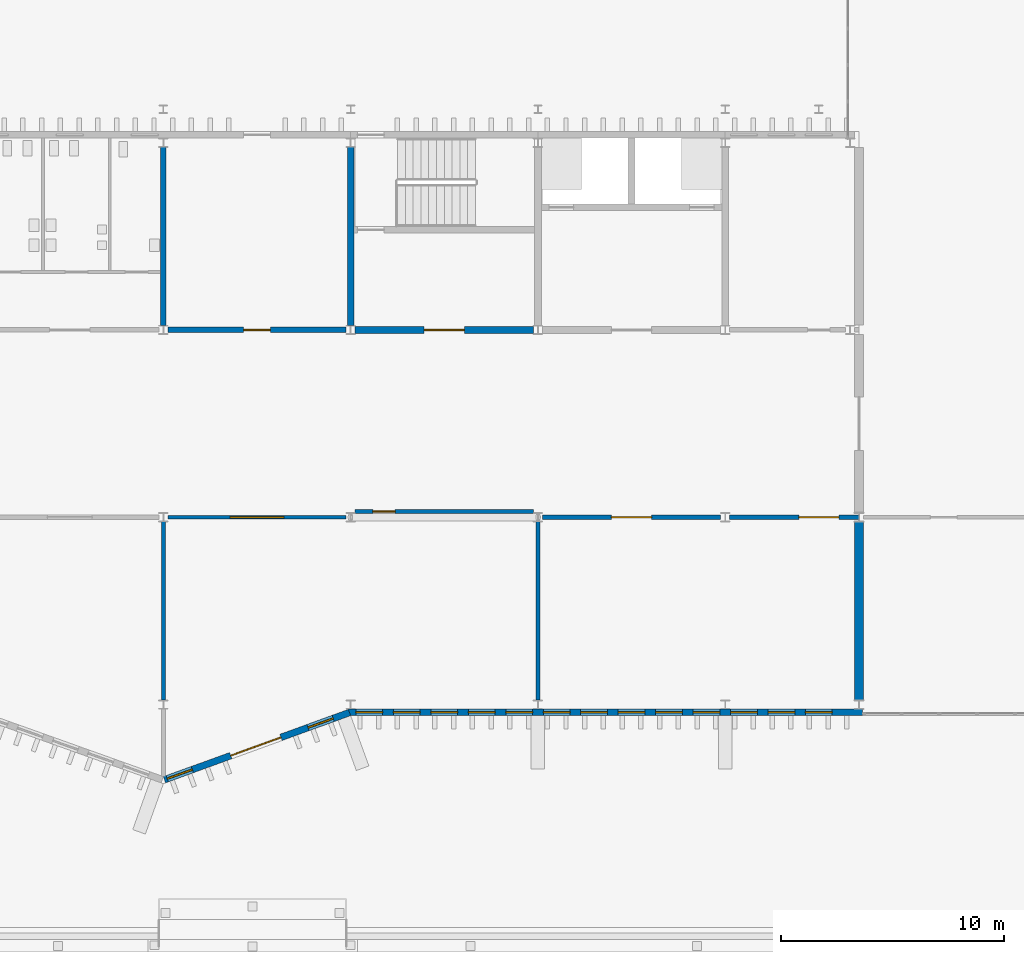
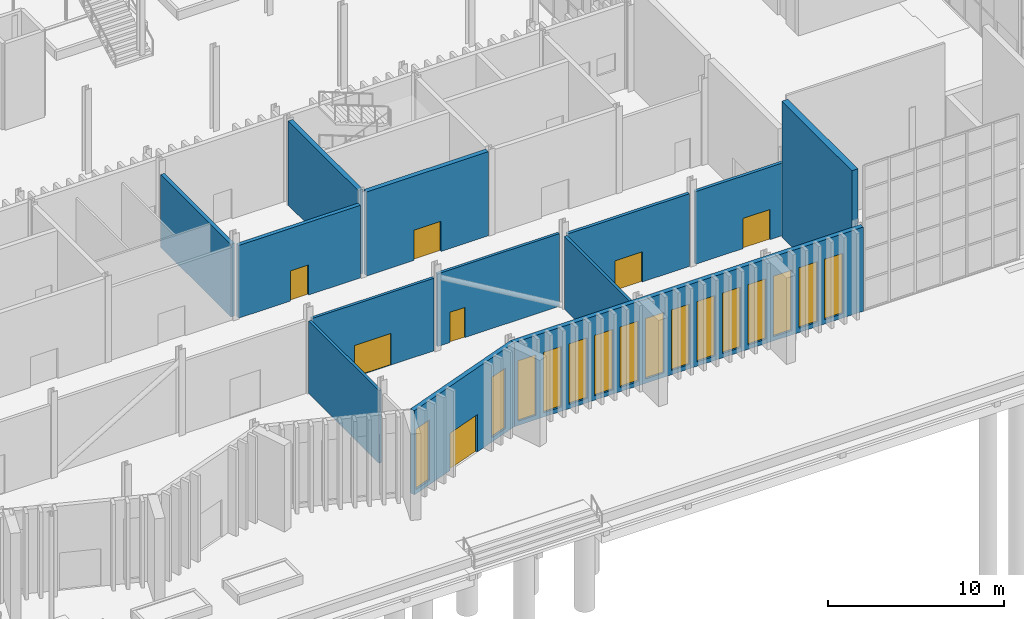
# One storey, part 69 of 108: 15 windows, 13 walls, 7 doors, 22 openings.
"""IFC4 building model written with IfcOpenShell, lengths in metres."""

from ifc_helpers import new_model, si_unit, direction, frame, frame_2d, origin, place, context, subcontext, project, spatial, rectangle, extrude, material, layer, layer_set, type_object, element, fill, save


model = new_model("IFC4")

# Units and contexts
model_context = context("Model", 3, precision=1e-05, world=origin(), true_north=direction((0.0, 1.0)))
body_context = subcontext(model_context, "Body", "Model", "MODEL_VIEW")
ifc_project = project(units=[si_unit("LENGTHUNIT", "METRE"), si_unit("AREAUNIT", "SQUARE_METRE"), si_unit("VOLUMEUNIT", "CUBIC_METRE"), si_unit("PLANEANGLEUNIT", "RADIAN"), si_unit("MASSUNIT", "GRAM", prefix="KILO")], contexts=[model_context])

# Site, building, storey
site_placement = place(None, origin())
site = spatial("IfcSite", under=ifc_project, at=site_placement, CompositionType="ELEMENT")
building_placement = place(site_placement, origin())
building = spatial("IfcBuilding", under=site, at=building_placement, Name="Cresset Court Congress Hotel", CompositionType="ELEMENT")
storey_placement = place(building_placement, origin())
storey = spatial("IfcBuildingStorey", under=building, at=storey_placement, Name="L00", CompositionType="ELEMENT", Elevation=0.0)

# Wall
ifc_material_1 = material(Name="Concrete C50", Category="concrete")
ifc_layer_1 = layer(ifc_material_1, 0.300048828125)
ifc_layer_set_1 = layer_set([ifc_layer_1], Name="Core wall 300 Concrete C50")
wall_type_1 = type_object("IfcWallType", Name="Core wall 300 Concrete C50", PredefinedType="SHEAR", material=ifc_layer_set_1)
wall_1_placement = place(storey_placement, frame((134.39990234375, 17.0, 0.0), z_axis=(0.0, 0.0, 1.0), x_axis=(0.0, 1.0, 0.0)))
element("IfcWall", 1, at=wall_1_placement, inside=storey, type_object=wall_type_1, Name="Core wall ST-B5", PredefinedType="SHEAR", context=body_context, shape_type="SweptSolid", body=[
    extrude(rectangle(XDim=8.0, YDim=0.300048828125, at=frame_2d((4.0, 0.0))), origin(), (0.0, 0.0, 1.0), 5.85009765625),
])

# Wall, opening, door
wall_2_placement = place(storey_placement, frame((134.60009765625, 16.800048828125, 0.0), z_axis=(0.0, 0.0, 1.0), x_axis=(1.0, 0.0, 0.0)))
wall_2 = element("IfcWall", 2, at=wall_2_placement, inside=storey, type_object=wall_type_1, Name="Core wall ST-B5", PredefinedType="SHEAR", context=body_context, shape_type="SweptSolid", body=[
    extrude(rectangle(XDim=8.0, YDim=0.300048828125, at=frame_2d((4.0, 0.0))), origin(), (0.0, 0.0, 1.0), 5.85009765625),
])
opening_1_placement = place(wall_2_placement, frame((3.10009765625, 0.0, 0.0)))
opening_1 = element("IfcOpeningElement", 3, at=opening_1_placement, cuts=wall_2, Name="Opening DB-00-64", PredefinedType="OPENING", context=body_context, shape_type="SweptSolid", body=[
    extrude(rectangle(XDim=1.800048828125, YDim=2.10009765625, at=frame_2d((0.89990234375, 1.050048828125))), frame((0.0, 0.159912109375, 0.0), z_axis=(0.0, -1.0, 0.0), x_axis=(1.0, 0.0, 0.0)), (0.0, 0.0, 1.0), 0.320068359375),
])
ifc_material_2 = material(Name="Timber and steel frame", Category="steel")
door_type_1 = type_object("IfcDoorType", Name="Lobby fire door FD60 double 1800x2100", OperationType="DOUBLE_DOOR_SINGLE_SWING", PredefinedType="DOOR", material=ifc_material_2)
door_1_placement = place(opening_1_placement, origin())
door_1 = element("IfcDoor", 4, at=door_1_placement, inside=storey, type_object=door_type_1, Name="Stair lobby door ST-B5", OperationType="DOUBLE_DOOR_SINGLE_SWING", OverallHeight=2.10009765625, OverallWidth=1.800048828125, PredefinedType="DOOR", context=body_context, shape_type="SweptSolid", body=[
    extrude(rectangle(XDim=1.800048828125, YDim=2.10009765625, at=frame_2d((0.89990234375, 1.050048828125))), frame((0.0, 0.02490234375, 0.0), z_axis=(0.0, -1.0, 0.0), x_axis=(1.0, 0.0, 0.0)), (0.0, 0.0, 1.0), 0.050048828125),
])
fill(opening_1, door_1)

# Wall, openings, windows
ifc_material_3 = material(Name="Concrete C40", Category="concrete")
ifc_layer_2 = layer(ifc_material_3, 0.300048828125)
ifc_layer_set_2 = layer_set([ifc_layer_2], Name="External wall 300 Concrete C40")
wall_type_2 = type_object("IfcWallType", Name="External wall 300 Concrete C40", PredefinedType="SOLIDWALL", material=ifc_layer_set_2)
wall_3_placement = place(storey_placement, frame((134.300048828125, -0.35009765625, 0.0), z_axis=(0.0, 0.0, 1.0), x_axis=(1.0, 0.0, 0.0)))
wall_3 = element("IfcWall", 5, at=wall_3_placement, inside=storey, type_object=wall_type_2, Name="External wall", PredefinedType="SOLIDWALL", context=body_context, shape_type="SweptSolid", body=[
    extrude(rectangle(XDim=23.050048828125, YDim=0.300048828125, at=frame_2d((11.52490234375, 0.0))), origin(), (0.0, 0.0, 1.0), 5.85009765625),
])
opening_2_placement = place(wall_3_placement, frame((0.340087890625, 0.0, 0.300048828125)))
opening_2 = element("IfcOpeningElement", 6, at=opening_2_placement, cuts=wall_3, Name="Opening NB-00-17", PredefinedType="OPENING", context=body_context, shape_type="SweptSolid", body=[
    extrude(rectangle(XDim=1.199951171875, YDim=4.199951171875, at=frame_2d((0.60009765625, 2.10009765625))), frame((0.0, 0.159912109375, 0.0), z_axis=(0.0, -1.0, 0.0), x_axis=(1.0, 0.0, 0.0)), (0.0, 0.0, 1.0), 0.320068359375),
])
opening_3_placement = place(wall_3_placement, frame((2.02001953125, 0.0, 0.300048828125)))
opening_3 = element("IfcOpeningElement", 7, at=opening_3_placement, cuts=wall_3, Name="Opening NB-00-18", PredefinedType="OPENING", context=body_context, shape_type="SweptSolid", body=[
    extrude(rectangle(XDim=1.199951171875, YDim=4.199951171875, at=frame_2d((0.60009765625, 2.10009765625))), frame((0.0, 0.159912109375, 0.0), z_axis=(0.0, -1.0, 0.0), x_axis=(1.0, 0.0, 0.0)), (0.0, 0.0, 1.0), 0.320068359375),
])
opening_4_placement = place(wall_3_placement, frame((3.699951171875, 0.0, 0.300048828125)))
opening_4 = element("IfcOpeningElement", 8, at=opening_4_placement, cuts=wall_3, Name="Opening NB-00-19", PredefinedType="OPENING", context=body_context, shape_type="SweptSolid", body=[
    extrude(rectangle(XDim=1.199951171875, YDim=4.199951171875, at=frame_2d((0.60009765625, 2.10009765625))), frame((0.0, 0.159912109375, 0.0), z_axis=(0.0, -1.0, 0.0), x_axis=(1.0, 0.0, 0.0)), (0.0, 0.0, 1.0), 0.320068359375),
])
opening_5_placement = place(wall_3_placement, frame((5.3798828125, 0.0, 0.300048828125)))
opening_5 = element("IfcOpeningElement", 9, at=opening_5_placement, cuts=wall_3, Name="Opening NB-00-20", PredefinedType="OPENING", context=body_context, shape_type="SweptSolid", body=[
    extrude(rectangle(XDim=1.199951171875, YDim=4.199951171875, at=frame_2d((0.60009765625, 2.10009765625))), frame((0.0, 0.159912109375, 0.0), z_axis=(0.0, -1.0, 0.0), x_axis=(1.0, 0.0, 0.0)), (0.0, 0.0, 1.0), 0.320068359375),
])
opening_6_placement = place(wall_3_placement, frame((7.06005859375, 0.0, 0.300048828125)))
opening_6 = element("IfcOpeningElement", 10, at=opening_6_placement, cuts=wall_3, Name="Opening NB-00-21", PredefinedType="OPENING", context=body_context, shape_type="SweptSolid", body=[
    extrude(rectangle(XDim=1.199951171875, YDim=4.199951171875, at=frame_2d((0.60009765625, 2.10009765625))), frame((0.0, 0.159912109375, 0.0), z_axis=(0.0, -1.0, 0.0), x_axis=(1.0, 0.0, 0.0)), (0.0, 0.0, 1.0), 0.320068359375),
])
opening_7_placement = place(wall_3_placement, frame((8.739990234375, 0.0, 0.300048828125)))
opening_7 = element("IfcOpeningElement", 11, at=opening_7_placement, cuts=wall_3, Name="Opening NB-00-22", PredefinedType="OPENING", context=body_context, shape_type="SweptSolid", body=[
    extrude(rectangle(XDim=1.199951171875, YDim=4.199951171875, at=frame_2d((0.60009765625, 2.10009765625))), frame((0.0, 0.159912109375, 0.0), z_axis=(0.0, -1.0, 0.0), x_axis=(1.0, 0.0, 0.0)), (0.0, 0.0, 1.0), 0.320068359375),
])
opening_8_placement = place(wall_3_placement, frame((10.419921875, 0.0, 0.300048828125)))
opening_8 = element("IfcOpeningElement", 12, at=opening_8_placement, cuts=wall_3, Name="Opening NB-00-23", PredefinedType="OPENING", context=body_context, shape_type="SweptSolid", body=[
    extrude(rectangle(XDim=1.199951171875, YDim=4.199951171875, at=frame_2d((0.60009765625, 2.10009765625))), frame((0.0, 0.159912109375, 0.0), z_axis=(0.0, -1.0, 0.0), x_axis=(1.0, 0.0, 0.0)), (0.0, 0.0, 1.0), 0.320068359375),
])
opening_9_placement = place(wall_3_placement, frame((12.10009765625, 0.0, 0.300048828125)))
opening_9 = element("IfcOpeningElement", 13, at=opening_9_placement, cuts=wall_3, Name="Opening NB-00-24", PredefinedType="OPENING", context=body_context, shape_type="SweptSolid", body=[
    extrude(rectangle(XDim=1.199951171875, YDim=4.199951171875, at=frame_2d((0.60009765625, 2.10009765625))), frame((0.0, 0.159912109375, 0.0), z_axis=(0.0, -1.0, 0.0), x_axis=(1.0, 0.0, 0.0)), (0.0, 0.0, 1.0), 0.320068359375),
])
opening_10_placement = place(wall_3_placement, frame((13.780029296875, 0.0, 0.300048828125)))
opening_10 = element("IfcOpeningElement", 14, at=opening_10_placement, cuts=wall_3, Name="Opening NB-00-25", PredefinedType="OPENING", context=body_context, shape_type="SweptSolid", body=[
    extrude(rectangle(XDim=1.199951171875, YDim=4.199951171875, at=frame_2d((0.60009765625, 2.10009765625))), frame((0.0, 0.159912109375, 0.0), z_axis=(0.0, -1.0, 0.0), x_axis=(1.0, 0.0, 0.0)), (0.0, 0.0, 1.0), 0.320068359375),
])
opening_11_placement = place(wall_3_placement, frame((15.4599609375, 0.0, 0.300048828125)))
opening_11 = element("IfcOpeningElement", 15, at=opening_11_placement, cuts=wall_3, Name="Opening NB-00-26", PredefinedType="OPENING", context=body_context, shape_type="SweptSolid", body=[
    extrude(rectangle(XDim=1.199951171875, YDim=4.199951171875, at=frame_2d((0.60009765625, 2.10009765625))), frame((0.0, 0.159912109375, 0.0), z_axis=(0.0, -1.0, 0.0), x_axis=(1.0, 0.0, 0.0)), (0.0, 0.0, 1.0), 0.320068359375),
])
opening_12_placement = place(wall_3_placement, frame((17.139892578125, 0.0, 0.300048828125)))
opening_12 = element("IfcOpeningElement", 16, at=opening_12_placement, cuts=wall_3, Name="Opening NB-00-27", PredefinedType="OPENING", context=body_context, shape_type="SweptSolid", body=[
    extrude(rectangle(XDim=1.199951171875, YDim=4.199951171875, at=frame_2d((0.60009765625, 2.10009765625))), frame((0.0, 0.159912109375, 0.0), z_axis=(0.0, -1.0, 0.0), x_axis=(1.0, 0.0, 0.0)), (0.0, 0.0, 1.0), 0.320068359375),
])
opening_13_placement = place(wall_3_placement, frame((18.820068359375, 0.0, 0.300048828125)))
opening_13 = element("IfcOpeningElement", 17, at=opening_13_placement, cuts=wall_3, Name="Opening NB-00-28", PredefinedType="OPENING", context=body_context, shape_type="SweptSolid", body=[
    extrude(rectangle(XDim=1.199951171875, YDim=4.199951171875, at=frame_2d((0.60009765625, 2.10009765625))), frame((0.0, 0.159912109375, 0.0), z_axis=(0.0, -1.0, 0.0), x_axis=(1.0, 0.0, 0.0)), (0.0, 0.0, 1.0), 0.320068359375),
])
opening_14_placement = place(wall_3_placement, frame((20.5, 0.0, 0.300048828125)))
opening_14 = element("IfcOpeningElement", 18, at=opening_14_placement, cuts=wall_3, Name="Opening NB-00-29", PredefinedType="OPENING", context=body_context, shape_type="SweptSolid", body=[
    extrude(rectangle(XDim=1.199951171875, YDim=4.199951171875, at=frame_2d((0.60009765625, 2.10009765625))), frame((0.0, 0.159912109375, 0.0), z_axis=(0.0, -1.0, 0.0), x_axis=(1.0, 0.0, 0.0)), (0.0, 0.0, 1.0), 0.320068359375),
])
ifc_material_4 = material(Name="Aluminium frame with double glazing", Category="aluminium")
window_type = type_object("IfcWindowType", Name="Window 1200x4200", PartitioningType="TRIPLE_PANEL_VERTICAL", PredefinedType="WINDOW", material=ifc_material_4)
window_1_placement = place(opening_2_placement, origin())
window_1 = element("IfcWindow", 19, at=window_1_placement, inside=storey, type_object=window_type, Name="Window NB-00-17", OverallHeight=4.199951171875, OverallWidth=1.199951171875, PartitioningType="TRIPLE_PANEL_VERTICAL", PredefinedType="WINDOW", context=body_context, shape_type="SweptSolid", body=[
    extrude(rectangle(XDim=1.199951171875, YDim=4.199951171875, at=frame_2d((0.60009765625, 2.10009765625))), frame((0.0, 0.030029296875, 0.0), z_axis=(0.0, -1.0, 0.0), x_axis=(1.0, 0.0, 0.0)), (0.0, 0.0, 1.0), 0.06005859375),
])
fill(opening_2, window_1)
window_2_placement = place(opening_3_placement, origin())
window_2 = element("IfcWindow", 20, at=window_2_placement, inside=storey, type_object=window_type, Name="Window NB-00-18", OverallHeight=4.199951171875, OverallWidth=1.199951171875, PartitioningType="TRIPLE_PANEL_VERTICAL", PredefinedType="WINDOW", context=body_context, shape_type="SweptSolid", body=[
    extrude(rectangle(XDim=1.199951171875, YDim=4.199951171875, at=frame_2d((0.60009765625, 2.10009765625))), frame((0.0, 0.030029296875, 0.0), z_axis=(0.0, -1.0, 0.0), x_axis=(1.0, 0.0, 0.0)), (0.0, 0.0, 1.0), 0.06005859375),
])
fill(opening_3, window_2)
window_3_placement = place(opening_4_placement, origin())
window_3 = element("IfcWindow", 21, at=window_3_placement, inside=storey, type_object=window_type, Name="Window NB-00-19", OverallHeight=4.199951171875, OverallWidth=1.199951171875, PartitioningType="TRIPLE_PANEL_VERTICAL", PredefinedType="WINDOW", context=body_context, shape_type="SweptSolid", body=[
    extrude(rectangle(XDim=1.199951171875, YDim=4.199951171875, at=frame_2d((0.60009765625, 2.10009765625))), frame((0.0, 0.030029296875, 0.0), z_axis=(0.0, -1.0, 0.0), x_axis=(1.0, 0.0, 0.0)), (0.0, 0.0, 1.0), 0.06005859375),
])
fill(opening_4, window_3)
window_4_placement = place(opening_5_placement, origin())
window_4 = element("IfcWindow", 22, at=window_4_placement, inside=storey, type_object=window_type, Name="Window NB-00-20", OverallHeight=4.199951171875, OverallWidth=1.199951171875, PartitioningType="TRIPLE_PANEL_VERTICAL", PredefinedType="WINDOW", context=body_context, shape_type="SweptSolid", body=[
    extrude(rectangle(XDim=1.199951171875, YDim=4.199951171875, at=frame_2d((0.60009765625, 2.10009765625))), frame((0.0, 0.030029296875, 0.0), z_axis=(0.0, -1.0, 0.0), x_axis=(1.0, 0.0, 0.0)), (0.0, 0.0, 1.0), 0.06005859375),
])
fill(opening_5, window_4)
window_5_placement = place(opening_6_placement, origin())
window_5 = element("IfcWindow", 23, at=window_5_placement, inside=storey, type_object=window_type, Name="Window NB-00-21", OverallHeight=4.199951171875, OverallWidth=1.199951171875, PartitioningType="TRIPLE_PANEL_VERTICAL", PredefinedType="WINDOW", context=body_context, shape_type="SweptSolid", body=[
    extrude(rectangle(XDim=1.199951171875, YDim=4.199951171875, at=frame_2d((0.60009765625, 2.10009765625))), frame((0.0, 0.030029296875, 0.0), z_axis=(0.0, -1.0, 0.0), x_axis=(1.0, 0.0, 0.0)), (0.0, 0.0, 1.0), 0.06005859375),
])
fill(opening_6, window_5)
window_6_placement = place(opening_7_placement, origin())
window_6 = element("IfcWindow", 24, at=window_6_placement, inside=storey, type_object=window_type, Name="Window NB-00-22", OverallHeight=4.199951171875, OverallWidth=1.199951171875, PartitioningType="TRIPLE_PANEL_VERTICAL", PredefinedType="WINDOW", context=body_context, shape_type="SweptSolid", body=[
    extrude(rectangle(XDim=1.199951171875, YDim=4.199951171875, at=frame_2d((0.60009765625, 2.10009765625))), frame((0.0, 0.030029296875, 0.0), z_axis=(0.0, -1.0, 0.0), x_axis=(1.0, 0.0, 0.0)), (0.0, 0.0, 1.0), 0.06005859375),
])
fill(opening_7, window_6)
window_7_placement = place(opening_8_placement, origin())
window_7 = element("IfcWindow", 25, at=window_7_placement, inside=storey, type_object=window_type, Name="Window NB-00-23", OverallHeight=4.199951171875, OverallWidth=1.199951171875, PartitioningType="TRIPLE_PANEL_VERTICAL", PredefinedType="WINDOW", context=body_context, shape_type="SweptSolid", body=[
    extrude(rectangle(XDim=1.199951171875, YDim=4.199951171875, at=frame_2d((0.60009765625, 2.10009765625))), frame((0.0, 0.030029296875, 0.0), z_axis=(0.0, -1.0, 0.0), x_axis=(1.0, 0.0, 0.0)), (0.0, 0.0, 1.0), 0.06005859375),
])
fill(opening_8, window_7)
window_8_placement = place(opening_9_placement, origin())
window_8 = element("IfcWindow", 26, at=window_8_placement, inside=storey, type_object=window_type, Name="Window NB-00-24", OverallHeight=4.199951171875, OverallWidth=1.199951171875, PartitioningType="TRIPLE_PANEL_VERTICAL", PredefinedType="WINDOW", context=body_context, shape_type="SweptSolid", body=[
    extrude(rectangle(XDim=1.199951171875, YDim=4.199951171875, at=frame_2d((0.60009765625, 2.10009765625))), frame((0.0, 0.030029296875, 0.0), z_axis=(0.0, -1.0, 0.0), x_axis=(1.0, 0.0, 0.0)), (0.0, 0.0, 1.0), 0.06005859375),
])
fill(opening_9, window_8)
window_9_placement = place(opening_10_placement, origin())
window_9 = element("IfcWindow", 27, at=window_9_placement, inside=storey, type_object=window_type, Name="Window NB-00-25", OverallHeight=4.199951171875, OverallWidth=1.199951171875, PartitioningType="TRIPLE_PANEL_VERTICAL", PredefinedType="WINDOW", context=body_context, shape_type="SweptSolid", body=[
    extrude(rectangle(XDim=1.199951171875, YDim=4.199951171875, at=frame_2d((0.60009765625, 2.10009765625))), frame((0.0, 0.030029296875, 0.0), z_axis=(0.0, -1.0, 0.0), x_axis=(1.0, 0.0, 0.0)), (0.0, 0.0, 1.0), 0.06005859375),
])
fill(opening_10, window_9)
window_10_placement = place(opening_11_placement, origin())
window_10 = element("IfcWindow", 28, at=window_10_placement, inside=storey, type_object=window_type, Name="Window NB-00-26", OverallHeight=4.199951171875, OverallWidth=1.199951171875, PartitioningType="TRIPLE_PANEL_VERTICAL", PredefinedType="WINDOW", context=body_context, shape_type="SweptSolid", body=[
    extrude(rectangle(XDim=1.199951171875, YDim=4.199951171875, at=frame_2d((0.60009765625, 2.10009765625))), frame((0.0, 0.030029296875, 0.0), z_axis=(0.0, -1.0, 0.0), x_axis=(1.0, 0.0, 0.0)), (0.0, 0.0, 1.0), 0.06005859375),
])
fill(opening_11, window_10)
window_11_placement = place(opening_12_placement, origin())
window_11 = element("IfcWindow", 29, at=window_11_placement, inside=storey, type_object=window_type, Name="Window NB-00-27", OverallHeight=4.199951171875, OverallWidth=1.199951171875, PartitioningType="TRIPLE_PANEL_VERTICAL", PredefinedType="WINDOW", context=body_context, shape_type="SweptSolid", body=[
    extrude(rectangle(XDim=1.199951171875, YDim=4.199951171875, at=frame_2d((0.60009765625, 2.10009765625))), frame((0.0, 0.030029296875, 0.0), z_axis=(0.0, -1.0, 0.0), x_axis=(1.0, 0.0, 0.0)), (0.0, 0.0, 1.0), 0.06005859375),
])
fill(opening_12, window_11)
window_12_placement = place(opening_13_placement, origin())
window_12 = element("IfcWindow", 30, at=window_12_placement, inside=storey, type_object=window_type, Name="Window NB-00-28", OverallHeight=4.199951171875, OverallWidth=1.199951171875, PartitioningType="TRIPLE_PANEL_VERTICAL", PredefinedType="WINDOW", context=body_context, shape_type="SweptSolid", body=[
    extrude(rectangle(XDim=1.199951171875, YDim=4.199951171875, at=frame_2d((0.60009765625, 2.10009765625))), frame((0.0, 0.030029296875, 0.0), z_axis=(0.0, -1.0, 0.0), x_axis=(1.0, 0.0, 0.0)), (0.0, 0.0, 1.0), 0.06005859375),
])
fill(opening_13, window_12)
window_13_placement = place(opening_14_placement, origin())
window_13 = element("IfcWindow", 31, at=window_13_placement, inside=storey, type_object=window_type, Name="Window NB-00-29", OverallHeight=4.199951171875, OverallWidth=1.199951171875, PartitioningType="TRIPLE_PANEL_VERTICAL", PredefinedType="WINDOW", context=body_context, shape_type="SweptSolid", body=[
    extrude(rectangle(XDim=1.199951171875, YDim=4.199951171875, at=frame_2d((0.60009765625, 2.10009765625))), frame((0.0, 0.030029296875, 0.0), z_axis=(0.0, -1.0, 0.0), x_axis=(1.0, 0.0, 0.0)), (0.0, 0.0, 1.0), 0.06005859375),
])
fill(opening_14, window_13)

# Wall, openings, door, windows
wall_4_placement = place(storey_placement, frame((126.05029296875, -3.3720703125, 0.0), z_axis=(0.0, 0.0, 1.0), x_axis=(0.939956409183, 0.3412945192, 0.0)))
wall_4 = element("IfcWall", 32, at=wall_4_placement, inside=storey, type_object=wall_type_2, Name="External wall", PredefinedType="SOLIDWALL", context=body_context, shape_type="SweptSolid", body=[
    extrude(rectangle(XDim=8.82861328125, YDim=0.300048828125, at=frame_2d((4.414306640625, 0.0))), origin(), (0.0, 0.0, 1.0), 5.85009765625),
])
opening_15_placement = place(wall_4_placement, frame((3.160400390625, 0.0, 0.0)))
opening_15 = element("IfcOpeningElement", 33, at=opening_15_placement, cuts=wall_4, Name="Opening DB-00-08", PredefinedType="OPENING", context=body_context, shape_type="SweptSolid", body=[
    extrude(rectangle(XDim=2.39990234375, YDim=2.60009765625, at=frame_2d((1.199951171875, 1.300048828125))), frame((0.0, 0.159912109375, 0.0), z_axis=(0.0, -1.0, 0.0), x_axis=(1.0, 0.0, 0.0)), (0.0, 0.0, 1.0), 0.320068359375),
])
opening_16_placement = place(wall_4_placement, frame((0.132080078125, 0.0, 0.300048828125)))
opening_16 = element("IfcOpeningElement", 34, at=opening_16_placement, cuts=wall_4, Name="Opening NB-00-63", PredefinedType="OPENING", context=body_context, shape_type="SweptSolid", body=[
    extrude(rectangle(XDim=1.199951171875, YDim=4.199951171875, at=frame_2d((0.60009765625, 2.10009765625))), frame((0.0, 0.159912109375, 0.0), z_axis=(0.0, -1.0, 0.0), x_axis=(1.0, 0.0, 0.0)), (0.0, 0.0, 1.0), 0.320068359375),
])
opening_17_placement = place(wall_4_placement, frame((6.85205078125, 0.0, 0.300048828125)))
opening_17 = element("IfcOpeningElement", 35, at=opening_17_placement, cuts=wall_4, Name="Opening NB-00-64", PredefinedType="OPENING", context=body_context, shape_type="SweptSolid", body=[
    extrude(rectangle(XDim=1.199951171875, YDim=4.199951171875, at=frame_2d((0.60009765625, 2.10009765625))), frame((0.0, 0.159912109375, 0.0), z_axis=(0.0, -1.0, 0.0), x_axis=(1.0, 0.0, 0.0)), (0.0, 0.0, 1.0), 0.320068359375),
])
ifc_material_5 = material(Name="Aluminium frame with toughened glass", Category="aluminium")
door_type_2 = type_object("IfcDoorType", Name="Entrance door double glazed 2400x2600", OperationType="DOUBLE_DOOR_SINGLE_SWING", PredefinedType="DOOR", material=ifc_material_5)
door_2_placement = place(opening_15_placement, origin())
door_2 = element("IfcDoor", 36, at=door_2_placement, inside=storey, type_object=door_type_2, Name="Press entrance", OperationType="DOUBLE_DOOR_SINGLE_SWING", OverallHeight=2.60009765625, OverallWidth=2.39990234375, PredefinedType="DOOR", context=body_context, shape_type="SweptSolid", body=[
    extrude(rectangle(XDim=2.39990234375, YDim=2.60009765625, at=frame_2d((1.199951171875, 1.300048828125))), frame((0.0, 0.02490234375, 0.0), z_axis=(0.0, -1.0, 0.0), x_axis=(1.0, 0.0, 0.0)), (0.0, 0.0, 1.0), 0.050048828125),
])
fill(opening_15, door_2)
window_14_placement = place(opening_16_placement, origin())
window_14 = element("IfcWindow", 37, at=window_14_placement, inside=storey, type_object=window_type, Name="Window NB-00-63", OverallHeight=4.199951171875, OverallWidth=1.199951171875, PartitioningType="TRIPLE_PANEL_VERTICAL", PredefinedType="WINDOW", context=body_context, shape_type="SweptSolid", body=[
    extrude(rectangle(XDim=1.199951171875, YDim=4.199951171875, at=frame_2d((0.60009765625, 2.10009765625))), frame((0.0, 0.030029296875, 0.0), z_axis=(0.0, -1.0, 0.0), x_axis=(1.0, 0.0, 0.0)), (0.0, 0.0, 1.0), 0.06005859375),
])
fill(opening_16, window_14)
window_15_placement = place(opening_17_placement, origin())
window_15 = element("IfcWindow", 38, at=window_15_placement, inside=storey, type_object=window_type, Name="Window NB-00-64", OverallHeight=4.199951171875, OverallWidth=1.199951171875, PartitioningType="TRIPLE_PANEL_VERTICAL", PredefinedType="WINDOW", context=body_context, shape_type="SweptSolid", body=[
    extrude(rectangle(XDim=1.199951171875, YDim=4.199951171875, at=frame_2d((0.60009765625, 2.10009765625))), frame((0.0, 0.030029296875, 0.0), z_axis=(0.0, -1.0, 0.0), x_axis=(1.0, 0.0, 0.0)), (0.0, 0.0, 1.0), 0.06005859375),
])
fill(opening_17, window_15)

# Wall, opening, door
ifc_material_6 = material(Name="Gypsum board on steel studs", Category="steel")
ifc_layer_3 = layer(ifc_material_6, 0.199951171875)
ifc_layer_set_3 = layer_set([ifc_layer_3], Name="Foyer wall 200")
wall_type_3 = type_object("IfcWallType", Name="Foyer wall 200", PredefinedType="PARTITIONING", material=ifc_layer_set_3)
wall_5_placement = place(storey_placement, frame((143.0, 8.39990234375, 0.0), z_axis=(0.0, 0.0, 1.0), x_axis=(1.0, 0.0, 0.0)))
wall_5 = element("IfcWall", 39, at=wall_5_placement, inside=storey, type_object=wall_type_3, Name="Foyer wall", PredefinedType="PARTITIONING", context=body_context, shape_type="SweptSolid", body=[
    extrude(rectangle(XDim=8.0, YDim=0.199951171875, at=frame_2d((4.0, 0.0))), origin(), (0.0, 0.0, 1.0), 5.050048828125),
])
opening_18_placement = place(wall_5_placement, frame((3.10009765625, 0.0, 0.0)))
opening_18 = element("IfcOpeningElement", 40, at=opening_18_placement, cuts=wall_5, Name="Opening DB-00-25", PredefinedType="OPENING", context=body_context, shape_type="SweptSolid", body=[
    extrude(rectangle(XDim=1.800048828125, YDim=2.10009765625, at=frame_2d((0.89990234375, 1.050048828125))), frame((0.0, 0.10986328125, 0.0), z_axis=(0.0, -1.0, 0.0), x_axis=(1.0, 0.0, 0.0)), (0.0, 0.0, 1.0), 0.219970703125),
])
ifc_material_7 = material(Name="Timber and steel frame", Category="steel")
door_type_3 = type_object("IfcDoorType", Name="Fire door FD30 double 1800x2100", OperationType="DOUBLE_DOOR_SINGLE_SWING", PredefinedType="DOOR", material=ifc_material_7)
door_3_placement = place(opening_18_placement, origin())
door_3 = element("IfcDoor", 41, at=door_3_placement, inside=storey, type_object=door_type_3, Name="Congress Office door", OperationType="DOUBLE_DOOR_SINGLE_SWING", OverallHeight=2.10009765625, OverallWidth=1.800048828125, PredefinedType="DOOR", context=body_context, shape_type="SweptSolid", body=[
    extrude(rectangle(XDim=1.800048828125, YDim=2.10009765625, at=frame_2d((0.89990234375, 1.050048828125))), frame((0.0, 0.02490234375, 0.0), z_axis=(0.0, -1.0, 0.0), x_axis=(1.0, 0.0, 0.0)), (0.0, 0.0, 1.0), 0.050048828125),
])
fill(opening_18, door_3)

wall_6_placement = place(storey_placement, frame((151.39990234375, 8.39990234375, 0.0), z_axis=(0.0, 0.0, 1.0), x_axis=(1.0, 0.0, 0.0)))
wall_6 = element("IfcWall", 42, at=wall_6_placement, inside=storey, type_object=wall_type_3, Name="Foyer wall", PredefinedType="PARTITIONING", context=body_context, shape_type="SweptSolid", body=[
    extrude(rectangle(XDim=5.800048828125, YDim=0.199951171875, at=frame_2d((2.89990234375, 0.0))), origin(), (0.0, 0.0, 1.0), 5.050048828125),
])
opening_19_placement = place(wall_6_placement, frame((3.10009765625, 0.0, 0.0)))
opening_19 = element("IfcOpeningElement", 43, at=opening_19_placement, cuts=wall_6, Name="Opening DB-00-26", PredefinedType="OPENING", context=body_context, shape_type="SweptSolid", body=[
    extrude(rectangle(XDim=1.800048828125, YDim=2.10009765625, at=frame_2d((0.89990234375, 1.050048828125))), frame((0.0, 0.10986328125, 0.0), z_axis=(0.0, -1.0, 0.0), x_axis=(1.0, 0.0, 0.0)), (0.0, 0.0, 1.0), 0.219970703125),
])
door_4_placement = place(opening_19_placement, origin())
door_4 = element("IfcDoor", 44, at=door_4_placement, inside=storey, type_object=door_type_3, Name="Congress Office door", OperationType="DOUBLE_DOOR_SINGLE_SWING", OverallHeight=2.10009765625, OverallWidth=1.800048828125, PredefinedType="DOOR", context=body_context, shape_type="SweptSolid", body=[
    extrude(rectangle(XDim=1.800048828125, YDim=2.10009765625, at=frame_2d((0.89990234375, 1.050048828125))), frame((0.0, 0.02490234375, 0.0), z_axis=(0.0, -1.0, 0.0), x_axis=(1.0, 0.0, 0.0)), (0.0, 0.0, 1.0), 0.050048828125),
])
fill(opening_19, door_4)

# Wall
ifc_material_8 = material(Name="Concrete C40", Category="concrete")
ifc_layer_4 = layer(ifc_material_8, 0.39990234375)
ifc_layer_set_4 = layer_set([ifc_layer_4], Name="Party wall with Block B 400")
wall_type_4 = type_object("IfcWallType", Name="Party wall with Block B 400", PredefinedType="SOLIDWALL", material=ifc_layer_set_4)
wall_7_placement = place(storey_placement, frame((157.199951171875, 0.214111328125, 0.0), z_axis=(0.0, 0.0, 1.0), x_axis=(0.0, 1.0, 0.0)))
element("IfcWall", 45, at=wall_7_placement, inside=storey, type_object=wall_type_4, Name="A.wl.L00.005", PredefinedType="SOLIDWALL", context=body_context, shape_type="SweptSolid", body=[
    extrude(rectangle(XDim=7.971923828125, YDim=0.39990234375, at=frame_2d((3.98583984375, 0.0))), origin(), (0.0, 0.0, 1.0), 9.449951171875),
])

# Wall, opening, door
ifc_material_9 = material(Name="Blockwork with fire-resisting render", Category="masonry")
ifc_layer_5 = layer(ifc_material_9, 0.25)
ifc_layer_set_5 = layer_set([ifc_layer_5], Name="Plant room wall 250")
wall_type_5 = type_object("IfcWallType", Name="Plant room wall 250", PredefinedType="PARTITIONING", material=ifc_layer_set_5)
wall_8_placement = place(storey_placement, frame((126.199951171875, 16.800048828125, 0.0), z_axis=(0.0, 0.0, 1.0), x_axis=(1.0, 0.0, 0.0)))
wall_8 = element("IfcWall", 46, at=wall_8_placement, inside=storey, type_object=wall_type_5, Name="Plant room wall", PredefinedType="PARTITIONING", context=body_context, shape_type="SweptSolid", body=[
    extrude(rectangle(XDim=8.0, YDim=0.25, at=frame_2d((4.0, 0.0))), origin(), (0.0, 0.0, 1.0), 5.050048828125),
])
opening_20_placement = place(wall_8_placement, frame((3.39990234375, 0.0, 0.0)))
opening_20 = element("IfcOpeningElement", 47, at=opening_20_placement, cuts=wall_8, Name="Opening DB-00-35", PredefinedType="OPENING", context=body_context, shape_type="SweptSolid", body=[
    extrude(rectangle(XDim=1.199951171875, YDim=2.10009765625, at=frame_2d((0.60009765625, 1.050048828125))), frame((0.0, 0.135009765625, 0.0), z_axis=(0.0, -1.0, 0.0), x_axis=(1.0, 0.0, 0.0)), (0.0, 0.0, 1.0), 0.27001953125),
])
ifc_material_10 = material(Name="Timber and steel frame", Category="steel")
door_type_4 = type_object("IfcDoorType", Name="Plant room fire door FD90 1200x2100", OperationType="SINGLE_SWING_LEFT", PredefinedType="DOOR", material=ifc_material_10)
door_5_placement = place(opening_20_placement, origin())
door_5 = element("IfcDoor", 48, at=door_5_placement, inside=storey, type_object=door_type_4, Name="Generator Room door", OperationType="SINGLE_SWING_LEFT", OverallHeight=2.10009765625, OverallWidth=1.199951171875, PredefinedType="DOOR", context=body_context, shape_type="SweptSolid", body=[
    extrude(rectangle(XDim=1.199951171875, YDim=2.10009765625, at=frame_2d((0.60009765625, 1.050048828125))), frame((0.0, 0.02490234375, 0.0), z_axis=(0.0, -1.0, 0.0), x_axis=(1.0, 0.0, 0.0)), (0.0, 0.0, 1.0), 0.050048828125),
])
fill(opening_20, door_5)

# Wall
wall_9_placement = place(storey_placement, frame((126.0, 17.0, 0.0), z_axis=(0.0, 0.0, 1.0), x_axis=(0.0, 1.0, 0.0)))
element("IfcWall", 49, at=wall_9_placement, inside=storey, type_object=wall_type_5, Name="Plant room wall", PredefinedType="PARTITIONING", context=body_context, shape_type="SweptSolid", body=[
    extrude(rectangle(XDim=8.0, YDim=0.25, at=frame_2d((4.0, 0.0))), origin(), (0.0, 0.0, 1.0), 5.050048828125),
])

# Wall, opening, door
ifc_material_11 = material(Name="Gypsum board on steel studs with acoustic lining", Category="steel")
ifc_layer_6 = layer(ifc_material_11, 0.175048828125)
ifc_layer_set_6 = layer_set([ifc_layer_6], Name="Press centre acoustic partition 175")
wall_type_6 = type_object("IfcWallType", Name="Press centre acoustic partition 175", PredefinedType="PARTITIONING", material=ifc_layer_set_6)
wall_10_placement = place(storey_placement, frame((126.199951171875, 8.39990234375, 0.0), z_axis=(0.0, 0.0, 1.0), x_axis=(1.0, 0.0, 0.0)))
wall_10 = element("IfcWall", 50, at=wall_10_placement, inside=storey, type_object=wall_type_6, Name="Press centre partition", PredefinedType="PARTITIONING", context=body_context, shape_type="SweptSolid", body=[
    extrude(rectangle(XDim=8.0, YDim=0.175048828125, at=frame_2d((4.0, 0.0))), origin(), (0.0, 0.0, 1.0), 5.050048828125),
])
opening_21_placement = place(wall_10_placement, frame((2.800048828125, 0.0, 0.0)))
opening_21 = element("IfcOpeningElement", 51, at=opening_21_placement, cuts=wall_10, Name="Opening DB-00-23", PredefinedType="OPENING", context=body_context, shape_type="SweptSolid", body=[
    extrude(rectangle(XDim=2.39990234375, YDim=2.199951171875, at=frame_2d((1.199951171875, 1.10009765625))), frame((0.0, 0.097412109375, 0.0), z_axis=(0.0, -1.0, 0.0), x_axis=(1.0, 0.0, 0.0)), (0.0, 0.0, 1.0), 0.195068359375),
])
ifc_material_12 = material(Name="Timber and steel frame", Category="steel")
door_type_5 = type_object("IfcDoorType", Name="Fire door FD30 double 2400x2200", OperationType="DOUBLE_DOOR_SINGLE_SWING", PredefinedType="DOOR", material=ifc_material_12)
door_6_placement = place(opening_21_placement, origin())
door_6 = element("IfcDoor", 52, at=door_6_placement, inside=storey, type_object=door_type_5, Name="Press Centre door", OperationType="DOUBLE_DOOR_SINGLE_SWING", OverallHeight=2.199951171875, OverallWidth=2.39990234375, PredefinedType="DOOR", context=body_context, shape_type="SweptSolid", body=[
    extrude(rectangle(XDim=2.39990234375, YDim=2.199951171875, at=frame_2d((1.199951171875, 1.10009765625))), frame((0.0, 0.02490234375, 0.0), z_axis=(0.0, -1.0, 0.0), x_axis=(1.0, 0.0, 0.0)), (0.0, 0.0, 1.0), 0.050048828125),
])
fill(opening_21, door_6)

wall_11_placement = place(storey_placement, frame((134.60009765625, 8.659912109375, 0.0), z_axis=(0.0, 0.0, 1.0), x_axis=(1.0, 0.0, 0.0)))
wall_11 = element("IfcWall", 53, at=wall_11_placement, inside=storey, type_object=wall_type_6, Name="Press centre partition", PredefinedType="PARTITIONING", context=body_context, shape_type="SweptSolid", body=[
    extrude(rectangle(XDim=8.0, YDim=0.175048828125, at=frame_2d((4.0, 0.0))), origin(), (0.0, 0.0, 1.0), 5.050048828125),
])
opening_22_placement = place(wall_11_placement, frame((0.800048828125, 0.0, 0.0)))
opening_22 = element("IfcOpeningElement", 54, at=opening_22_placement, cuts=wall_11, Name="Opening DB-00-24", PredefinedType="OPENING", context=body_context, shape_type="SweptSolid", body=[
    extrude(rectangle(XDim=1.0, YDim=2.10009765625, at=frame_2d((0.5, 1.050048828125))), frame((0.0, 0.097412109375, 0.0), z_axis=(0.0, -1.0, 0.0), x_axis=(1.0, 0.0, 0.0)), (0.0, 0.0, 1.0), 0.195068359375),
])
ifc_material_13 = material(Name="Timber and steel frame", Category="steel")
door_type_6 = type_object("IfcDoorType", Name="Fire door FD30 single 1000x2100", OperationType="SINGLE_SWING_LEFT", PredefinedType="DOOR", material=ifc_material_13)
door_7_placement = place(opening_22_placement, origin())
door_7 = element("IfcDoor", 55, at=door_7_placement, inside=storey, type_object=door_type_6, Name="Press Centre door", OperationType="SINGLE_SWING_LEFT", OverallHeight=2.10009765625, OverallWidth=1.0, PredefinedType="DOOR", context=body_context, shape_type="SweptSolid", body=[
    extrude(rectangle(XDim=1.0, YDim=2.10009765625, at=frame_2d((0.5, 1.050048828125))), frame((0.0, 0.02490234375, 0.0), z_axis=(0.0, -1.0, 0.0), x_axis=(1.0, 0.0, 0.0)), (0.0, 0.0, 1.0), 0.050048828125),
])
fill(opening_22, door_7)

# Walls
for number, where, z_axis, x_axis, name in (
    (56, (126.0, 0.199951171875, 0.0), (0.0, 0.0, 1.0), (0.0, 1.0, 0.0), "Press centre partition"),
    (57, (142.800048828125, 0.199951171875, 0.0), (0.0, 0.0, 1.0), (0.0, 1.0, 0.0), "Press centre partition"),
):
    element("IfcWall", number, at=place(storey_placement, frame(where, z_axis=z_axis, x_axis=x_axis)), inside=storey, type_object=wall_type_6, Name=name, PredefinedType="PARTITIONING", context=body_context, shape_type="SweptSolid", body=[
        extrude(rectangle(XDim=8.0, YDim=0.175048828125, at=frame_2d((4.0, 0.0))), origin(), (0.0, 0.0, 1.0), 5.050048828125),
    ])

save(model, "model.ifc")
